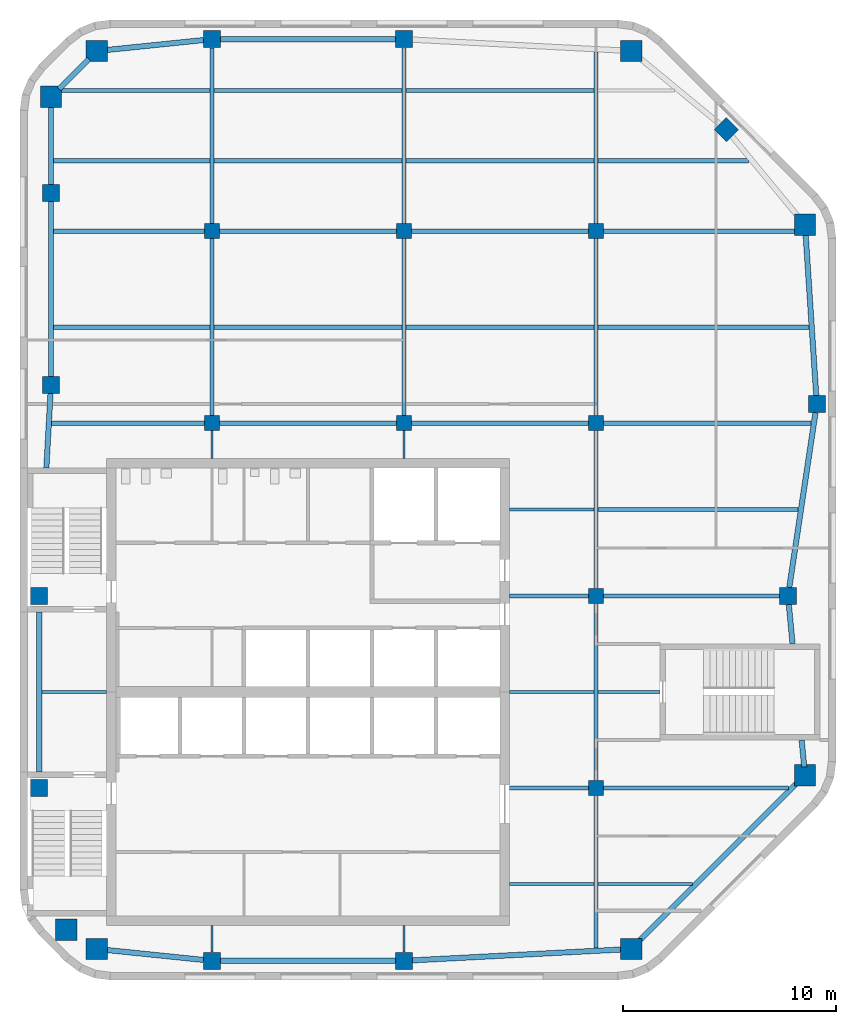
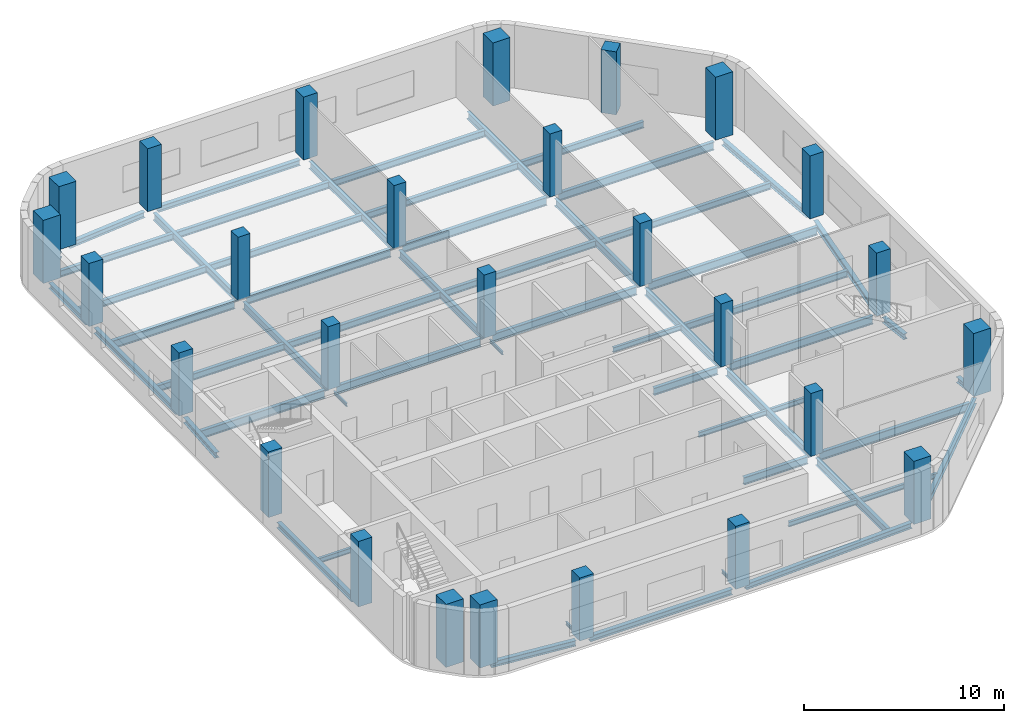
# One storey, part 1 of 7: 58 beams, 27 columns.
"""IFC4 building model written with IfcOpenShell, lengths in metres."""

from ifc_helpers import new_model, si_unit, direction, frame, origin, origin_2d, place, context, subcontext, project, spatial, rectangle, i_section, extrude, material, material_profile, profile_set, type_object, element, save


model = new_model("IFC4")

# Units and contexts
model_context = context("Model", 3, precision=1e-05, world=origin(), true_north=direction((0.0, 1.0)))
body_context = subcontext(model_context, "Body", "Model", "MODEL_VIEW")
ifc_project = project(units=[si_unit("LENGTHUNIT", "METRE"), si_unit("AREAUNIT", "SQUARE_METRE"), si_unit("VOLUMEUNIT", "CUBIC_METRE"), si_unit("PLANEANGLEUNIT", "RADIAN"), si_unit("MASSUNIT", "GRAM", prefix="KILO")], contexts=[model_context])

# Site, building, storey
site_placement = place(None, origin())
site = spatial("IfcSite", under=ifc_project, at=site_placement, CompositionType="ELEMENT")
building_placement = place(site_placement, origin())
building = spatial("IfcBuilding", under=site, at=building_placement, Name="Cinnabar Reach Civic Tower", CompositionType="ELEMENT")
storey_placement = place(building_placement, frame((0.0, 0.0, 251.0)))
storey = spatial("IfcBuildingStorey", under=building, at=storey_placement, Name="L60", CompositionType="ELEMENT", Elevation=251.0)

# Columns
ifc_material_1 = material(Name="Concrete C70", Category="concrete")
ifc_material_profile_1 = material_profile(ifc_material_1, rectangle(XDim=1.0, YDim=1.0, at=origin_2d()), Name="RC1000")
ifc_profile_set_1 = profile_set([ifc_material_profile_1], Name="Concrete C70")
column_type_1 = type_object("IfcColumnType", Name="RC1000 column R 240", PredefinedType="COLUMN", material=ifc_profile_set_1)
for number, where, z_axis, x_axis, name in (
    (1, (3.6019, 19.4531, 0.0), (0.0, 0.0, 1.0), (1.0, 0.0, 0.0), "Column T1-Z5-CC0"),
    (2, (28.6481, 19.4531, 0.0), (0.0, 0.0, 1.0), (1.0, 0.0, 0.0), "Column T1-Z5-CC1"),
    (3, (36.7969, 27.6019, 0.0), (0.0, 0.0, 1.0), (1.0, 0.0, 0.0), "Column T1-Z5-CC2"),
    (4, (36.7969, 53.3981, 0.0), (0.0, 0.0, 1.0), (1.0, 0.0, 0.0), "Column T1-Z5-CC3"),
    (5, (28.6481, 61.5469, 0.0), (0.0, 0.0, 1.0), (1.0, 0.0, 0.0), "Column T1-Z5-CC4"),
    (6, (3.6019, 61.5469, 0.0), (0.0, 0.0, 1.0), (1.0, 0.0, 0.0), "Column T1-Z5-CC5"),
    (7, (1.4531, 59.3981, 0.0), (0.0, 0.0, 1.0), (1.0, 0.0, 0.0), "Column T1-Z5-CC6"),
    (8, (2.1631, 20.35, 0.0), (0.0, 0.0, 1.0), (1.0, 0.0, 0.0), "Column T1-Z5-CC7"),
):
    element("IfcColumn", number, at=place(storey_placement, frame(where, z_axis=z_axis, x_axis=x_axis)), inside=storey, type_object=column_type_1, Name=name, PredefinedType="COLUMN", context=body_context, shape_type="SweptSolid", body=[
        extrude(rectangle(XDim=1.0, YDim=1.0, at=origin_2d()), origin(), (0.0, 0.0, 1.0), 3.85),
    ])
ifc_material_2 = material(Name="Concrete C60", Category="concrete")
ifc_material_profile_2 = material_profile(ifc_material_2, rectangle(XDim=0.7, YDim=0.7, at=origin_2d()), Name="RC700")
ifc_profile_set_2 = profile_set([ifc_material_profile_2], Name="Concrete C60")
column_type_2 = type_object("IfcColumnType", Name="RC700 column R 240", PredefinedType="COLUMN", material=ifc_profile_set_2)
for number, where, z_axis, x_axis, name in (
    (9, (9.0, 44.1, 0.0), (0.0, 0.0, 1.0), (1.0, 0.0, 0.0), "Column T1-Z5-I9_45"),
    (10, (9.0, 53.1, 0.0), (0.0, 0.0, 1.0), (1.0, 0.0, 0.0), "Column T1-Z5-I9_54"),
    (11, (18.0, 44.1, 0.0), (0.0, 0.0, 1.0), (1.0, 0.0, 0.0), "Column T1-Z5-I18_45"),
    (12, (18.0, 53.1, 0.0), (0.0, 0.0, 1.0), (1.0, 0.0, 0.0), "Column T1-Z5-I18_54"),
    (13, (27.0, 27.0, 0.0), (0.0, 0.0, 1.0), (1.0, 0.0, 0.0), "Column T1-Z5-I27_27"),
    (14, (27.0, 36.0, 0.0), (0.0, 0.0, 1.0), (1.0, 0.0, 0.0), "Column T1-Z5-I27_36"),
    (15, (27.0, 44.1, 0.0), (0.0, 0.0, 1.0), (1.0, 0.0, 0.0), "Column T1-Z5-I27_45"),
    (16, (27.0, 53.1, 0.0), (0.0, 0.0, 1.0), (1.0, 0.0, 0.0), "Column T1-Z5-I27_54"),
):
    element("IfcColumn", number, at=place(storey_placement, frame(where, z_axis=z_axis, x_axis=x_axis)), inside=storey, type_object=column_type_2, Name=name, PredefinedType="COLUMN", context=body_context, shape_type="SweptSolid", body=[
        extrude(rectangle(XDim=0.7, YDim=0.7, at=origin_2d()), origin(), (0.0, 0.0, 1.0), 3.85),
    ])
ifc_material_profile_3 = material_profile(ifc_material_2, rectangle(XDim=0.8, YDim=0.8, at=origin_2d()), Name="RC800")
ifc_profile_set_3 = profile_set([ifc_material_profile_3], Name="Concrete C60")
column_type_3 = type_object("IfcColumnType", Name="RC800 column R 240", PredefinedType="COLUMN", material=ifc_profile_set_3)
for number, where, z_axis, x_axis, name in (
    (17, (9.0, 18.9, 0.0), (0.0, 0.0, 1.0), (1.0, 0.0, 0.0), "Column T1-Z5-F0-1"),
    (18, (18.0, 18.9, 0.0), (0.0, 0.0, 1.0), (1.0, 0.0, 0.0), "Column T1-Z5-F0-2"),
    (19, (36.0, 36.0, 0.0), (0.0, 0.0, 1.0), (1.0, 0.0, 0.0), "Column T1-Z5-F2-4"),
    (20, (37.35, 45.0, 0.0), (0.0, 0.0, 1.0), (1.0, 0.0, 0.0), "Column T1-Z5-F2-5"),
    (21, (33.1136, 57.8636, 0.0), (0.0, 0.0, 1.0), (0.707106781187, 0.707106781187, 0.0), "Column T1-Z5-F3-M"),
    (22, (9.0, 62.1, 0.0), (0.0, 0.0, 1.0), (1.0, 0.0, 0.0), "Column T1-Z5-F4-1"),
    (23, (18.0, 62.1, 0.0), (0.0, 0.0, 1.0), (1.0, 0.0, 0.0), "Column T1-Z5-F4-2"),
):
    element("IfcColumn", number, at=place(storey_placement, frame(where, z_axis=z_axis, x_axis=x_axis)), inside=storey, type_object=column_type_3, Name=name, PredefinedType="COLUMN", context=body_context, shape_type="SweptSolid", body=[
        extrude(rectangle(XDim=0.8, YDim=0.8, at=origin_2d()), origin(), (0.0, 0.0, 1.0), 3.85),
    ])
for number, where, z_axis, x_axis, name in (
    (24, (0.9, 27.0, 0.0), (0.0, 0.0, 1.0), (1.0, 0.0, 0.0), "Column T1-Z5-F6-3"),
    (25, (0.9, 36.0, 0.0), (0.0, 0.0, 1.0), (1.0, 0.0, 0.0), "Column T1-Z5-F6-4"),
):
    element("IfcColumn", number, at=place(storey_placement, frame(where, z_axis=z_axis, x_axis=x_axis)), inside=storey, type_object=column_type_3, Name=name, PredefinedType="COLUMN", context=body_context, shape_type="SweptSolid", body=[
        extrude(rectangle(XDim=0.8, YDim=0.8, at=origin_2d()), origin(), (0.0, 0.0, 1.0), 4.0),
    ])
for number, where, z_axis, x_axis, name in (
    (26, (1.4531, 45.8981, 0.0), (0.0, 0.0, 1.0), (1.0, 0.0, 0.0), "Column T1-Z5-F6-5"),
    (27, (1.4531, 54.8981, 0.0), (0.0, 0.0, 1.0), (1.0, 0.0, 0.0), "Column T1-Z5-F6-6"),
):
    element("IfcColumn", number, at=place(storey_placement, frame(where, z_axis=z_axis, x_axis=x_axis)), inside=storey, type_object=column_type_3, Name=name, PredefinedType="COLUMN", context=body_context, shape_type="SweptSolid", body=[
        extrude(rectangle(XDim=0.8, YDim=0.8, at=origin_2d()), origin(), (0.0, 0.0, 1.0), 3.85),
    ])

# Beams
ifc_material_3 = material(Name="Steel Q355B", Category="steel")
ifc_material_profile_4 = material_profile(ifc_material_3, i_section(OverallWidth=0.25, OverallDepth=0.34, WebThickness=0.009, FlangeThickness=0.014, FilletRadius=0.013, at=origin_2d()), Name="HM340x250x9x14")
ifc_profile_set_4 = profile_set([ifc_material_profile_4], Name="Steel Q355B")
beam_type_1 = type_object("IfcBeamType", Name="HM340x250x9x14 beam R 180", PredefinedType="BEAM", material=ifc_profile_set_4)
beam_1_placement = place(storey_placement, frame((3.9839, 19.414, -0.32), z_axis=(0.994791084875, -0.101934770579, 0.0), x_axis=(0.101934770579, 0.994791084875, 0.0)))
element("IfcBeam", 28, at=beam_1_placement, inside=storey, type_object=beam_type_1, Name="Edge beam T1 L60 1", PredefinedType="BEAM", context=body_context, shape_type="SweptSolid", body=[
    extrude(i_section(OverallWidth=0.25, OverallDepth=0.34, WebThickness=0.009, FlangeThickness=0.014, FilletRadius=0.013, at=origin_2d()), origin(), (0.0, 0.0, 1.0), 4.6383),
])
beam_2_placement = place(storey_placement, frame((9.402, 18.9, -0.32), z_axis=(1.0, 0.0, 0.0), x_axis=(0.0, 1.0, 0.0)))
element("IfcBeam", 29, at=beam_2_placement, inside=storey, type_object=beam_type_1, Name="Edge beam T1 L60 2", PredefinedType="BEAM", context=body_context, shape_type="SweptSolid", body=[
    extrude(i_section(OverallWidth=0.25, OverallDepth=0.34, WebThickness=0.009, FlangeThickness=0.014, FilletRadius=0.013, at=origin_2d()), origin(), (0.0, 0.0, 1.0), 8.196),
])
beam_3_placement = place(storey_placement, frame((18.402, 18.9209, -0.32), z_axis=(0.998653533726, 0.051876001934, 0.0), x_axis=(-0.051876001934, 0.998653533726, 0.0)))
element("IfcBeam", 30, at=beam_3_placement, inside=storey, type_object=beam_type_1, Name="Edge beam T1 L60 3", PredefinedType="BEAM", context=body_context, shape_type="SweptSolid", body=[
    extrude(i_section(OverallWidth=0.25, OverallDepth=0.34, WebThickness=0.009, FlangeThickness=0.014, FilletRadius=0.013, at=origin_2d()), origin(), (0.0, 0.0, 1.0), 9.8774),
])
beam_4_placement = place(storey_placement, frame((29.0301, 19.8351, -0.32), z_axis=(0.707106781187, 0.707106781187, 0.0), x_axis=(-0.707106781187, 0.707106781187, 0.0)))
element("IfcBeam", 31, at=beam_4_placement, inside=storey, type_object=beam_type_1, Name="Edge beam T1 L60 4", PredefinedType="BEAM", context=body_context, shape_type="SweptSolid", body=[
    extrude(i_section(OverallWidth=0.25, OverallDepth=0.34, WebThickness=0.009, FlangeThickness=0.014, FilletRadius=0.013, at=origin_2d()), origin(), (0.0, 0.0, 1.0), 10.4437),
])
beam_5_placement = place(storey_placement, frame((36.7607, 27.9839, -0.32), z_axis=(-0.094504338241, 0.995524449752, 0.0), x_axis=(-0.995524449752, -0.094504338241, 0.0)))
element("IfcBeam", 32, at=beam_5_placement, inside=storey, type_object=beam_type_1, Name="Edge beam T1 L60 5", PredefinedType="BEAM", context=body_context, shape_type="SweptSolid", body=[
    extrude(i_section(OverallWidth=0.25, OverallDepth=0.34, WebThickness=0.009, FlangeThickness=0.014, FilletRadius=0.013, at=origin_2d()), origin(), (0.0, 0.0, 1.0), 1.2698),
])
beam_6_placement = place(storey_placement, frame((36.2133, 33.752, -0.32), z_axis=(-0.094483333102, 0.995526443529, 0.0), x_axis=(-0.995526443529, -0.094483333102, 0.0)))
element("IfcBeam", 33, at=beam_6_placement, inside=storey, type_object=beam_type_1, Name="Edge beam T1 L60 6", PredefinedType="BEAM", context=body_context, shape_type="SweptSolid", body=[
    extrude(i_section(OverallWidth=0.25, OverallDepth=0.34, WebThickness=0.009, FlangeThickness=0.014, FilletRadius=0.013, at=origin_2d()), origin(), (0.0, 0.0, 1.0), 1.8543),
])
beam_7_placement = place(storey_placement, frame((36.0603, 36.402, -0.32), z_axis=(0.14834045293, 0.988936352868, 0.0), x_axis=(-0.988936352868, 0.14834045293, 0.0)))
element("IfcBeam", 34, at=beam_7_placement, inside=storey, type_object=beam_type_1, Name="Edge beam T1 L60 7", PredefinedType="BEAM", context=body_context, shape_type="SweptSolid", body=[
    extrude(i_section(OverallWidth=0.25, OverallDepth=0.34, WebThickness=0.009, FlangeThickness=0.014, FilletRadius=0.013, at=origin_2d()), origin(), (0.0, 0.0, 1.0), 8.2877),
])
beam_8_placement = place(storey_placement, frame((37.3235, 45.402, -0.32), z_axis=(-0.065709195057, 0.997838815483, 0.0), x_axis=(-0.997838815483, -0.065709195057, 0.0)))
element("IfcBeam", 35, at=beam_8_placement, inside=storey, type_object=beam_type_1, Name="Edge beam T1 L60 8", PredefinedType="BEAM", context=body_context, shape_type="SweptSolid", body=[
    extrude(i_section(OverallWidth=0.25, OverallDepth=0.34, WebThickness=0.009, FlangeThickness=0.014, FilletRadius=0.013, at=origin_2d()), origin(), (0.0, 0.0, 1.0), 7.6306),
])
beam_9_placement = place(storey_placement, frame((17.598, 62.1, -0.32), z_axis=(-1.0, 0.0, 0.0), x_axis=(0.0, -1.0, 0.0)))
element("IfcBeam", 36, at=beam_9_placement, inside=storey, type_object=beam_type_1, Name="Edge beam T1 L60 12", PredefinedType="BEAM", context=body_context, shape_type="SweptSolid", body=[
    extrude(i_section(OverallWidth=0.25, OverallDepth=0.34, WebThickness=0.009, FlangeThickness=0.014, FilletRadius=0.013, at=origin_2d()), origin(), (0.0, 0.0, 1.0), 8.196),
])
beam_10_placement = place(storey_placement, frame((8.598, 62.0588, -0.32), z_axis=(-0.994791084875, -0.101934770579, 0.0), x_axis=(0.101934770579, -0.994791084875, 0.0)))
element("IfcBeam", 37, at=beam_10_placement, inside=storey, type_object=beam_type_1, Name="Edge beam T1 L60 13", PredefinedType="BEAM", context=body_context, shape_type="SweptSolid", body=[
    extrude(i_section(OverallWidth=0.25, OverallDepth=0.34, WebThickness=0.009, FlangeThickness=0.014, FilletRadius=0.013, at=origin_2d()), origin(), (0.0, 0.0, 1.0), 4.6383),
])
beam_11_placement = place(storey_placement, frame((3.2199, 61.1649, -0.32), z_axis=(-0.707106781187, -0.707106781187, 0.0), x_axis=(0.707106781187, -0.707106781187, 0.0)))
element("IfcBeam", 38, at=beam_11_placement, inside=storey, type_object=beam_type_1, Name="Edge beam T1 L60 14", PredefinedType="BEAM", context=body_context, shape_type="SweptSolid", body=[
    extrude(i_section(OverallWidth=0.25, OverallDepth=0.34, WebThickness=0.009, FlangeThickness=0.014, FilletRadius=0.013, at=origin_2d()), origin(), (0.0, 0.0, 1.0), 1.9584),
])
beam_12_placement = place(storey_placement, frame((1.4531, 59.0161, -0.32), z_axis=(0.0, -1.0, 0.0), x_axis=(1.0, 0.0, 0.0)))
element("IfcBeam", 39, at=beam_12_placement, inside=storey, type_object=beam_type_1, Name="Edge beam T1 L60 15", PredefinedType="BEAM", context=body_context, shape_type="SweptSolid", body=[
    extrude(i_section(OverallWidth=0.25, OverallDepth=0.34, WebThickness=0.009, FlangeThickness=0.014, FilletRadius=0.013, at=origin_2d()), origin(), (0.0, 0.0, 1.0), 3.716),
])
beam_13_placement = place(storey_placement, frame((1.4531, 54.4961, -0.32), z_axis=(0.0, -1.0, 0.0), x_axis=(1.0, 0.0, 0.0)))
element("IfcBeam", 40, at=beam_13_placement, inside=storey, type_object=beam_type_1, Name="Edge beam T1 L60 16", PredefinedType="BEAM", context=body_context, shape_type="SweptSolid", body=[
    extrude(i_section(OverallWidth=0.25, OverallDepth=0.34, WebThickness=0.009, FlangeThickness=0.014, FilletRadius=0.013, at=origin_2d()), origin(), (0.0, 0.0, 1.0), 8.196),
])
beam_14_placement = place(storey_placement, frame((1.4306, 45.4961, -0.32), z_axis=(-0.055778628236, -0.998443160441, 0.0), x_axis=(0.998443160441, -0.055778628236, 0.0)))
element("IfcBeam", 41, at=beam_14_placement, inside=storey, type_object=beam_type_1, Name="Edge beam T1 L60 17", PredefinedType="BEAM", context=body_context, shape_type="SweptSolid", body=[
    extrude(i_section(OverallWidth=0.25, OverallDepth=0.34, WebThickness=0.009, FlangeThickness=0.014, FilletRadius=0.013, at=origin_2d()), origin(), (0.0, 0.0, 1.0), 3.4995),
])
beam_15_placement = place(storey_placement, frame((0.9, 35.248, -0.32), z_axis=(0.0, -1.0, 0.0), x_axis=(1.0, 0.0, 0.0)))
element("IfcBeam", 42, at=beam_15_placement, inside=storey, type_object=beam_type_1, Name="Edge beam T1 L60 18", PredefinedType="BEAM", context=body_context, shape_type="SweptSolid", body=[
    extrude(i_section(OverallWidth=0.25, OverallDepth=0.34, WebThickness=0.009, FlangeThickness=0.014, FilletRadius=0.013, at=origin_2d()), origin(), (0.0, 0.0, 1.0), 7.496),
])
ifc_material_profile_5 = material_profile(ifc_material_3, i_section(OverallWidth=0.099, OverallDepth=0.198, WebThickness=0.0045, FlangeThickness=0.007, FilletRadius=0.013, at=origin_2d()), Name="HN200x100x5.5x8")
ifc_profile_set_5 = profile_set([ifc_material_profile_5], Name="Steel Q355B")
beam_type_2 = type_object("IfcBeamType", Name="HN200x100x5.5x8 beam R 180", PredefinedType="BEAM", material=ifc_profile_set_5)
beam_16_placement = place(storey_placement, frame((9.0, 19.302, -0.249), z_axis=(0.0, 1.0, 0.0), x_axis=(-1.0, 0.0, 0.0)))
element("IfcBeam", 43, at=beam_16_placement, inside=storey, type_object=beam_type_2, Name="Girder T1 L60 1", PredefinedType="BEAM", context=body_context, shape_type="SweptSolid", body=[
    extrude(i_section(OverallWidth=0.099, OverallDepth=0.198, WebThickness=0.0045, FlangeThickness=0.007, FilletRadius=0.013, at=origin_2d()), origin(), (0.0, 0.0, 1.0), 1.246),
])
beam_17_placement = place(storey_placement, frame((9.0, 42.452, -0.249), z_axis=(0.0, 1.0, 0.0), x_axis=(-1.0, 0.0, 0.0)))
element("IfcBeam", 44, at=beam_17_placement, inside=storey, type_object=beam_type_2, Name="Girder T1 L60 2", PredefinedType="BEAM", context=body_context, shape_type="SweptSolid", body=[
    extrude(i_section(OverallWidth=0.099, OverallDepth=0.198, WebThickness=0.0045, FlangeThickness=0.007, FilletRadius=0.013, at=origin_2d()), origin(), (0.0, 0.0, 1.0), 1.296),
])
beam_18_placement = place(storey_placement, frame((18.0, 19.302, -0.249), z_axis=(0.0, 1.0, 0.0), x_axis=(-1.0, 0.0, 0.0)))
element("IfcBeam", 45, at=beam_18_placement, inside=storey, type_object=beam_type_2, Name="Girder T1 L60 5", PredefinedType="BEAM", context=body_context, shape_type="SweptSolid", body=[
    extrude(i_section(OverallWidth=0.099, OverallDepth=0.198, WebThickness=0.0045, FlangeThickness=0.007, FilletRadius=0.013, at=origin_2d()), origin(), (0.0, 0.0, 1.0), 1.246),
])
beam_19_placement = place(storey_placement, frame((18.0, 42.452, -0.249), z_axis=(0.0, 1.0, 0.0), x_axis=(-1.0, 0.0, 0.0)))
element("IfcBeam", 46, at=beam_19_placement, inside=storey, type_object=beam_type_2, Name="Girder T1 L60 6", PredefinedType="BEAM", context=body_context, shape_type="SweptSolid", body=[
    extrude(i_section(OverallWidth=0.099, OverallDepth=0.198, WebThickness=0.0045, FlangeThickness=0.007, FilletRadius=0.013, at=origin_2d()), origin(), (0.0, 0.0, 1.0), 1.296),
])
ifc_material_profile_6 = material_profile(ifc_material_3, i_section(OverallWidth=0.15, OverallDepth=0.3, WebThickness=0.0065, FlangeThickness=0.009, FilletRadius=0.013, at=origin_2d()), Name="HN300x150x6.5x9")
ifc_profile_set_6 = profile_set([ifc_material_profile_6], Name="Steel Q355B")
beam_type_3 = type_object("IfcBeamType", Name="HN300x150x6.5x9 beam R 180", PredefinedType="BEAM", material=ifc_profile_set_6)
beam_20_placement = place(storey_placement, frame((22.952, 22.5, -0.3), z_axis=(1.0, 0.0, 0.0), x_axis=(0.0, 1.0, 0.0)))
element("IfcBeam", 47, at=beam_20_placement, inside=storey, type_object=beam_type_3, Name="Secondary beam T1 L60 1", PredefinedType="BEAM", context=body_context, shape_type="SweptSolid", body=[
    extrude(i_section(OverallWidth=0.15, OverallDepth=0.3, WebThickness=0.0065, FlangeThickness=0.009, FilletRadius=0.013, at=origin_2d()), origin(), (0.0, 0.0, 1.0), 3.946),
])
beam_21_placement = place(storey_placement, frame((27.102, 22.5, -0.3), z_axis=(1.0, 0.0, 0.0), x_axis=(0.0, 1.0, 0.0)))
element("IfcBeam", 48, at=beam_21_placement, inside=storey, type_object=beam_type_3, Name="Secondary beam T1 L60 2", PredefinedType="BEAM", context=body_context, shape_type="SweptSolid", body=[
    extrude(i_section(OverallWidth=0.15, OverallDepth=0.3, WebThickness=0.0065, FlangeThickness=0.009, FilletRadius=0.013, at=origin_2d()), origin(), (0.0, 0.0, 1.0), 4.4134),
])
beam_22_placement = place(storey_placement, frame((1.027, 31.5, -0.3), z_axis=(1.0, 0.0, 0.0), x_axis=(0.0, 1.0, 0.0)))
element("IfcBeam", 49, at=beam_22_placement, inside=storey, type_object=beam_type_3, Name="Secondary beam T1 L60 3", PredefinedType="BEAM", context=body_context, shape_type="SweptSolid", body=[
    extrude(i_section(OverallWidth=0.15, OverallDepth=0.3, WebThickness=0.0065, FlangeThickness=0.009, FilletRadius=0.013, at=origin_2d()), origin(), (0.0, 0.0, 1.0), 3.021),
])
beam_23_placement = place(storey_placement, frame((22.952, 31.5, -0.3), z_axis=(1.0, 0.0, 0.0), x_axis=(0.0, 1.0, 0.0)))
element("IfcBeam", 50, at=beam_23_placement, inside=storey, type_object=beam_type_3, Name="Secondary beam T1 L60 4", PredefinedType="BEAM", context=body_context, shape_type="SweptSolid", body=[
    extrude(i_section(OverallWidth=0.15, OverallDepth=0.3, WebThickness=0.0065, FlangeThickness=0.009, FilletRadius=0.013, at=origin_2d()), origin(), (0.0, 0.0, 1.0), 3.946),
])
beam_24_placement = place(storey_placement, frame((27.102, 31.5, -0.3), z_axis=(1.0, 0.0, 0.0), x_axis=(0.0, 1.0, 0.0)))
element("IfcBeam", 51, at=beam_24_placement, inside=storey, type_object=beam_type_3, Name="Secondary beam T1 L60 5", PredefinedType="BEAM", context=body_context, shape_type="SweptSolid", body=[
    extrude(i_section(OverallWidth=0.15, OverallDepth=0.3, WebThickness=0.0065, FlangeThickness=0.009, FilletRadius=0.013, at=origin_2d()), origin(), (0.0, 0.0, 1.0), 2.896),
])
beam_25_placement = place(storey_placement, frame((22.952, 40.05, -0.3), z_axis=(1.0, 0.0, 0.0), x_axis=(0.0, 1.0, 0.0)))
element("IfcBeam", 52, at=beam_25_placement, inside=storey, type_object=beam_type_3, Name="Secondary beam T1 L60 6", PredefinedType="BEAM", context=body_context, shape_type="SweptSolid", body=[
    extrude(i_section(OverallWidth=0.15, OverallDepth=0.3, WebThickness=0.0065, FlangeThickness=0.009, FilletRadius=0.013, at=origin_2d()), origin(), (0.0, 0.0, 1.0), 3.946),
])
ifc_material_profile_7 = material_profile(ifc_material_3, i_section(OverallWidth=0.2, OverallDepth=0.4, WebThickness=0.008, FlangeThickness=0.013, FilletRadius=0.016, at=origin_2d()), Name="HN400x200x8x13")
ifc_profile_set_7 = profile_set([ifc_material_profile_7], Name="Steel Q355B")
beam_type_4 = type_object("IfcBeamType", Name="HN400x200x8x13 beam R 180", PredefinedType="BEAM", material=ifc_profile_set_7)
beam_26_placement = place(storey_placement, frame((27.102, 40.05, -0.35), z_axis=(1.0, 0.0, 0.0), x_axis=(0.0, 1.0, 0.0)))
element("IfcBeam", 53, at=beam_26_placement, inside=storey, type_object=beam_type_4, Name="Secondary beam T1 L60 7", PredefinedType="BEAM", context=body_context, shape_type="SweptSolid", body=[
    extrude(i_section(OverallWidth=0.2, OverallDepth=0.4, WebThickness=0.008, FlangeThickness=0.013, FilletRadius=0.016, at=origin_2d()), origin(), (0.0, 0.0, 1.0), 9.3771),
])
beam_27_placement = place(storey_placement, frame((1.5801, 48.6, -0.35), z_axis=(1.0, 0.0, 0.0), x_axis=(0.0, 1.0, 0.0)))
element("IfcBeam", 54, at=beam_27_placement, inside=storey, type_object=beam_type_4, Name="Secondary beam T1 L60 8", PredefinedType="BEAM", context=body_context, shape_type="SweptSolid", body=[
    extrude(i_section(OverallWidth=0.2, OverallDepth=0.4, WebThickness=0.008, FlangeThickness=0.013, FilletRadius=0.016, at=origin_2d()), origin(), (0.0, 0.0, 1.0), 7.3179),
])
for number, where, z_axis, x_axis, name in (
    (55, (9.102, 48.6, -0.35), (1.0, 0.0, 0.0), (0.0, 1.0, 0.0), "Secondary beam T1 L60 9"),
    (56, (18.102, 48.6, -0.35), (1.0, 0.0, 0.0), (0.0, 1.0, 0.0), "Secondary beam T1 L60 10"),
):
    element("IfcBeam", number, at=place(storey_placement, frame(where, z_axis=z_axis, x_axis=x_axis)), inside=storey, type_object=beam_type_4, Name=name, PredefinedType="BEAM", context=body_context, shape_type="SweptSolid", body=[
        extrude(i_section(OverallWidth=0.2, OverallDepth=0.4, WebThickness=0.008, FlangeThickness=0.013, FilletRadius=0.016, at=origin_2d()), origin(), (0.0, 0.0, 1.0), 8.796),
    ])
beam_28_placement = place(storey_placement, frame((27.102, 48.6, -0.35), z_axis=(1.0, 0.0, 0.0), x_axis=(0.0, 1.0, 0.0)))
element("IfcBeam", 57, at=beam_28_placement, inside=storey, type_object=beam_type_4, Name="Secondary beam T1 L60 11", PredefinedType="BEAM", context=body_context, shape_type="SweptSolid", body=[
    extrude(i_section(OverallWidth=0.2, OverallDepth=0.4, WebThickness=0.008, FlangeThickness=0.013, FilletRadius=0.016, at=origin_2d()), origin(), (0.0, 0.0, 1.0), 9.8836),
])
beam_29_placement = place(storey_placement, frame((1.5801, 56.4, -0.35), z_axis=(1.0, 0.0, 0.0), x_axis=(0.0, 1.0, 0.0)))
element("IfcBeam", 58, at=beam_29_placement, inside=storey, type_object=beam_type_4, Name="Secondary beam T1 L60 12", PredefinedType="BEAM", context=body_context, shape_type="SweptSolid", body=[
    extrude(i_section(OverallWidth=0.2, OverallDepth=0.4, WebThickness=0.008, FlangeThickness=0.013, FilletRadius=0.016, at=origin_2d()), origin(), (0.0, 0.0, 1.0), 7.3179),
])
for number, where, z_axis, x_axis, name in (
    (59, (9.102, 56.4, -0.35), (1.0, 0.0, 0.0), (0.0, 1.0, 0.0), "Secondary beam T1 L60 13"),
    (60, (18.102, 56.4, -0.35), (1.0, 0.0, 0.0), (0.0, 1.0, 0.0), "Secondary beam T1 L60 14"),
):
    element("IfcBeam", number, at=place(storey_placement, frame(where, z_axis=z_axis, x_axis=x_axis)), inside=storey, type_object=beam_type_4, Name=name, PredefinedType="BEAM", context=body_context, shape_type="SweptSolid", body=[
        extrude(i_section(OverallWidth=0.2, OverallDepth=0.4, WebThickness=0.008, FlangeThickness=0.013, FilletRadius=0.016, at=origin_2d()), origin(), (0.0, 0.0, 1.0), 8.796),
    ])
beam_30_placement = place(storey_placement, frame((27.102, 56.4, -0.35), z_axis=(1.0, 0.0, 0.0), x_axis=(0.0, 1.0, 0.0)))
element("IfcBeam", 61, at=beam_30_placement, inside=storey, type_object=beam_type_4, Name="Secondary beam T1 L60 15", PredefinedType="BEAM", context=body_context, shape_type="SweptSolid", body=[
    extrude(i_section(OverallWidth=0.2, OverallDepth=0.4, WebThickness=0.008, FlangeThickness=0.013, FilletRadius=0.016, at=origin_2d()), origin(), (0.0, 0.0, 1.0), 7.0542),
])
beam_31_placement = place(storey_placement, frame((1.9551, 59.7, -0.35), z_axis=(1.0, 0.0, 0.0), x_axis=(0.0, 1.0, 0.0)))
element("IfcBeam", 62, at=beam_31_placement, inside=storey, type_object=beam_type_4, Name="Secondary beam T1 L60 16", PredefinedType="BEAM", context=body_context, shape_type="SweptSolid", body=[
    extrude(i_section(OverallWidth=0.2, OverallDepth=0.4, WebThickness=0.008, FlangeThickness=0.013, FilletRadius=0.016, at=origin_2d()), origin(), (0.0, 0.0, 1.0), 6.9429),
])
for number, where, z_axis, x_axis, name in (
    (63, (9.102, 59.7, -0.35), (1.0, 0.0, 0.0), (0.0, 1.0, 0.0), "Secondary beam T1 L60 17"),
    (64, (18.102, 59.7, -0.35), (1.0, 0.0, 0.0), (0.0, 1.0, 0.0), "Secondary beam T1 L60 18"),
):
    element("IfcBeam", number, at=place(storey_placement, frame(where, z_axis=z_axis, x_axis=x_axis)), inside=storey, type_object=beam_type_4, Name=name, PredefinedType="BEAM", context=body_context, shape_type="SweptSolid", body=[
        extrude(i_section(OverallWidth=0.2, OverallDepth=0.4, WebThickness=0.008, FlangeThickness=0.013, FilletRadius=0.016, at=origin_2d()), origin(), (0.0, 0.0, 1.0), 8.796),
    ])
ifc_material_profile_8 = material_profile(ifc_material_3, i_section(OverallWidth=0.2, OverallDepth=0.45, WebThickness=0.009, FlangeThickness=0.014, FilletRadius=0.016, at=origin_2d()), Name="HN450x200x9x14")
ifc_profile_set_8 = profile_set([ifc_material_profile_8], Name="Steel Q355B")
beam_type_5 = type_object("IfcBeamType", Name="HN450x200x9x14 beam R 180", PredefinedType="BEAM", material=ifc_profile_set_8)
for number, where, z_axis, x_axis, name in (
    (65, (22.952, 27.0, -0.375), (1.0, 0.0, 0.0), (0.0, 1.0, 0.0), "Girder T1 L60 1"),
    (66, (22.952, 36.0, -0.375), (1.0, 0.0, 0.0), (0.0, 1.0, 0.0), "Girder T1 L60 3"),
):
    element("IfcBeam", number, at=place(storey_placement, frame(where, z_axis=z_axis, x_axis=x_axis)), inside=storey, type_object=beam_type_5, Name=name, PredefinedType="BEAM", context=body_context, shape_type="SweptSolid", body=[
        extrude(i_section(OverallWidth=0.2, OverallDepth=0.45, WebThickness=0.009, FlangeThickness=0.014, FilletRadius=0.016, at=origin_2d()), origin(), (0.0, 0.0, 1.0), 3.696),
    ])
beam_32_placement = place(storey_placement, frame((9.0, 44.452, -0.375), z_axis=(0.0, 1.0, 0.0), x_axis=(-1.0, 0.0, 0.0)))
element("IfcBeam", 67, at=beam_32_placement, inside=storey, type_object=beam_type_5, Name="Girder T1 L60 3", PredefinedType="BEAM", context=body_context, shape_type="SweptSolid", body=[
    extrude(i_section(OverallWidth=0.2, OverallDepth=0.45, WebThickness=0.009, FlangeThickness=0.014, FilletRadius=0.016, at=origin_2d()), origin(), (0.0, 0.0, 1.0), 8.296),
])
beam_33_placement = place(storey_placement, frame((9.0, 53.452, -0.375), z_axis=(0.0, 1.0, 0.0), x_axis=(-1.0, 0.0, 0.0)))
element("IfcBeam", 68, at=beam_33_placement, inside=storey, type_object=beam_type_5, Name="Girder T1 L60 4", PredefinedType="BEAM", context=body_context, shape_type="SweptSolid", body=[
    extrude(i_section(OverallWidth=0.2, OverallDepth=0.45, WebThickness=0.009, FlangeThickness=0.014, FilletRadius=0.016, at=origin_2d()), origin(), (0.0, 0.0, 1.0), 8.246),
])
beam_34_placement = place(storey_placement, frame((18.0, 44.452, -0.375), z_axis=(0.0, 1.0, 0.0), x_axis=(-1.0, 0.0, 0.0)))
element("IfcBeam", 69, at=beam_34_placement, inside=storey, type_object=beam_type_5, Name="Girder T1 L60 7", PredefinedType="BEAM", context=body_context, shape_type="SweptSolid", body=[
    extrude(i_section(OverallWidth=0.2, OverallDepth=0.45, WebThickness=0.009, FlangeThickness=0.014, FilletRadius=0.016, at=origin_2d()), origin(), (0.0, 0.0, 1.0), 8.296),
])
beam_35_placement = place(storey_placement, frame((18.0, 53.452, -0.375), z_axis=(0.0, 1.0, 0.0), x_axis=(-1.0, 0.0, 0.0)))
element("IfcBeam", 70, at=beam_35_placement, inside=storey, type_object=beam_type_5, Name="Girder T1 L60 8", PredefinedType="BEAM", context=body_context, shape_type="SweptSolid", body=[
    extrude(i_section(OverallWidth=0.2, OverallDepth=0.45, WebThickness=0.009, FlangeThickness=0.014, FilletRadius=0.016, at=origin_2d()), origin(), (0.0, 0.0, 1.0), 8.246),
])
beam_36_placement = place(storey_placement, frame((27.0, 19.4947, -0.375), z_axis=(0.0, 1.0, 0.0), x_axis=(-1.0, 0.0, 0.0)))
element("IfcBeam", 71, at=beam_36_placement, inside=storey, type_object=beam_type_5, Name="Girder T1 L60 9", PredefinedType="BEAM", context=body_context, shape_type="SweptSolid", body=[
    extrude(i_section(OverallWidth=0.2, OverallDepth=0.45, WebThickness=0.009, FlangeThickness=0.014, FilletRadius=0.016, at=origin_2d()), origin(), (0.0, 0.0, 1.0), 7.1533),
])
beam_37_placement = place(storey_placement, frame((27.0, 27.352, -0.375), z_axis=(0.0, 1.0, 0.0), x_axis=(-1.0, 0.0, 0.0)))
element("IfcBeam", 72, at=beam_37_placement, inside=storey, type_object=beam_type_5, Name="Girder T1 L60 10", PredefinedType="BEAM", context=body_context, shape_type="SweptSolid", body=[
    extrude(i_section(OverallWidth=0.2, OverallDepth=0.45, WebThickness=0.009, FlangeThickness=0.014, FilletRadius=0.016, at=origin_2d()), origin(), (0.0, 0.0, 1.0), 8.296),
])
beam_38_placement = place(storey_placement, frame((27.0, 36.352, -0.375), z_axis=(0.0, 1.0, 0.0), x_axis=(-1.0, 0.0, 0.0)))
element("IfcBeam", 73, at=beam_38_placement, inside=storey, type_object=beam_type_5, Name="Girder T1 L60 11", PredefinedType="BEAM", context=body_context, shape_type="SweptSolid", body=[
    extrude(i_section(OverallWidth=0.2, OverallDepth=0.45, WebThickness=0.009, FlangeThickness=0.014, FilletRadius=0.016, at=origin_2d()), origin(), (0.0, 0.0, 1.0), 7.396),
])
beam_39_placement = place(storey_placement, frame((27.0, 44.452, -0.375), z_axis=(0.0, 1.0, 0.0), x_axis=(-1.0, 0.0, 0.0)))
element("IfcBeam", 74, at=beam_39_placement, inside=storey, type_object=beam_type_5, Name="Girder T1 L60 12", PredefinedType="BEAM", context=body_context, shape_type="SweptSolid", body=[
    extrude(i_section(OverallWidth=0.2, OverallDepth=0.45, WebThickness=0.009, FlangeThickness=0.014, FilletRadius=0.016, at=origin_2d()), origin(), (0.0, 0.0, 1.0), 8.296),
])
beam_40_placement = place(storey_placement, frame((27.0, 53.452, -0.375), z_axis=(0.0, 1.0, 0.0), x_axis=(-1.0, 0.0, 0.0)))
element("IfcBeam", 75, at=beam_40_placement, inside=storey, type_object=beam_type_5, Name="Girder T1 L60 13", PredefinedType="BEAM", context=body_context, shape_type="SweptSolid", body=[
    extrude(i_section(OverallWidth=0.2, OverallDepth=0.45, WebThickness=0.009, FlangeThickness=0.014, FilletRadius=0.016, at=origin_2d()), origin(), (0.0, 0.0, 1.0), 8.0533),
])
ifc_material_profile_9 = material_profile(ifc_material_3, i_section(OverallWidth=0.2, OverallDepth=0.5, WebThickness=0.01, FlangeThickness=0.016, FilletRadius=0.016, at=origin_2d()), Name="HN500x200x10x16")
ifc_profile_set_9 = profile_set([ifc_material_profile_9], Name="Steel Q355B")
beam_type_6 = type_object("IfcBeamType", Name="HN500x200x10x16 beam R 180", PredefinedType="BEAM", material=ifc_profile_set_9)
beam_41_placement = place(storey_placement, frame((27.352, 27.0, -0.4), z_axis=(1.0, 0.0, 0.0), x_axis=(0.0, 1.0, 0.0)))
element("IfcBeam", 76, at=beam_41_placement, inside=storey, type_object=beam_type_6, Name="Girder T1 L60 2", PredefinedType="BEAM", context=body_context, shape_type="SweptSolid", body=[
    extrude(i_section(OverallWidth=0.2, OverallDepth=0.5, WebThickness=0.01, FlangeThickness=0.016, FilletRadius=0.016, at=origin_2d()), origin(), (0.0, 0.0, 1.0), 8.6634),
])
beam_42_placement = place(storey_placement, frame((27.352, 36.0, -0.4), z_axis=(1.0, 0.0, 0.0), x_axis=(0.0, 1.0, 0.0)))
element("IfcBeam", 77, at=beam_42_placement, inside=storey, type_object=beam_type_6, Name="Girder T1 L60 4", PredefinedType="BEAM", context=body_context, shape_type="SweptSolid", body=[
    extrude(i_section(OverallWidth=0.2, OverallDepth=0.5, WebThickness=0.01, FlangeThickness=0.016, FilletRadius=0.016, at=origin_2d()), origin(), (0.0, 0.0, 1.0), 8.246),
])
beam_43_placement = place(storey_placement, frame((1.4798, 44.1, -0.4), z_axis=(1.0, 0.0, 0.0), x_axis=(0.0, 1.0, 0.0)))
element("IfcBeam", 78, at=beam_43_placement, inside=storey, type_object=beam_type_6, Name="Girder T1 L60 5", PredefinedType="BEAM", context=body_context, shape_type="SweptSolid", body=[
    extrude(i_section(OverallWidth=0.2, OverallDepth=0.5, WebThickness=0.01, FlangeThickness=0.016, FilletRadius=0.016, at=origin_2d()), origin(), (0.0, 0.0, 1.0), 7.1682),
])
for number, where, z_axis, x_axis, name in (
    (79, (9.352, 44.1, -0.4), (1.0, 0.0, 0.0), (0.0, 1.0, 0.0), "Girder T1 L60 6"),
    (80, (18.352, 44.1, -0.4), (1.0, 0.0, 0.0), (0.0, 1.0, 0.0), "Girder T1 L60 7"),
):
    element("IfcBeam", number, at=place(storey_placement, frame(where, z_axis=z_axis, x_axis=x_axis)), inside=storey, type_object=beam_type_6, Name=name, PredefinedType="BEAM", context=body_context, shape_type="SweptSolid", body=[
        extrude(i_section(OverallWidth=0.2, OverallDepth=0.5, WebThickness=0.01, FlangeThickness=0.016, FilletRadius=0.016, at=origin_2d()), origin(), (0.0, 0.0, 1.0), 8.296),
    ])
beam_44_placement = place(storey_placement, frame((27.352, 44.1, -0.4), z_axis=(1.0, 0.0, 0.0), x_axis=(0.0, 1.0, 0.0)))
element("IfcBeam", 81, at=beam_44_placement, inside=storey, type_object=beam_type_6, Name="Girder T1 L60 8", PredefinedType="BEAM", context=body_context, shape_type="SweptSolid", body=[
    extrude(i_section(OverallWidth=0.2, OverallDepth=0.5, WebThickness=0.01, FlangeThickness=0.016, FilletRadius=0.016, at=origin_2d()), origin(), (0.0, 0.0, 1.0), 9.7346),
])
beam_45_placement = place(storey_placement, frame((1.5801, 53.1, -0.4), z_axis=(1.0, 0.0, 0.0), x_axis=(0.0, 1.0, 0.0)))
element("IfcBeam", 82, at=beam_45_placement, inside=storey, type_object=beam_type_6, Name="Girder T1 L60 9", PredefinedType="BEAM", context=body_context, shape_type="SweptSolid", body=[
    extrude(i_section(OverallWidth=0.2, OverallDepth=0.5, WebThickness=0.01, FlangeThickness=0.016, FilletRadius=0.016, at=origin_2d()), origin(), (0.0, 0.0, 1.0), 7.0679),
])
for number, where, z_axis, x_axis, name in (
    (83, (9.352, 53.1, -0.4), (1.0, 0.0, 0.0), (0.0, 1.0, 0.0), "Girder T1 L60 10"),
    (84, (18.352, 53.1, -0.4), (1.0, 0.0, 0.0), (0.0, 1.0, 0.0), "Girder T1 L60 11"),
):
    element("IfcBeam", number, at=place(storey_placement, frame(where, z_axis=z_axis, x_axis=x_axis)), inside=storey, type_object=beam_type_6, Name=name, PredefinedType="BEAM", context=body_context, shape_type="SweptSolid", body=[
        extrude(i_section(OverallWidth=0.2, OverallDepth=0.5, WebThickness=0.01, FlangeThickness=0.016, FilletRadius=0.016, at=origin_2d()), origin(), (0.0, 0.0, 1.0), 8.296),
    ])
beam_46_placement = place(storey_placement, frame((27.352, 53.1, -0.4), z_axis=(1.0, 0.0, 0.0), x_axis=(0.0, 1.0, 0.0)))
element("IfcBeam", 85, at=beam_46_placement, inside=storey, type_object=beam_type_6, Name="Girder T1 L60 12", PredefinedType="BEAM", context=body_context, shape_type="SweptSolid", body=[
    extrude(i_section(OverallWidth=0.2, OverallDepth=0.5, WebThickness=0.01, FlangeThickness=0.016, FilletRadius=0.016, at=origin_2d()), origin(), (0.0, 0.0, 1.0), 8.9429),
])

save(model, "model.ifc")
